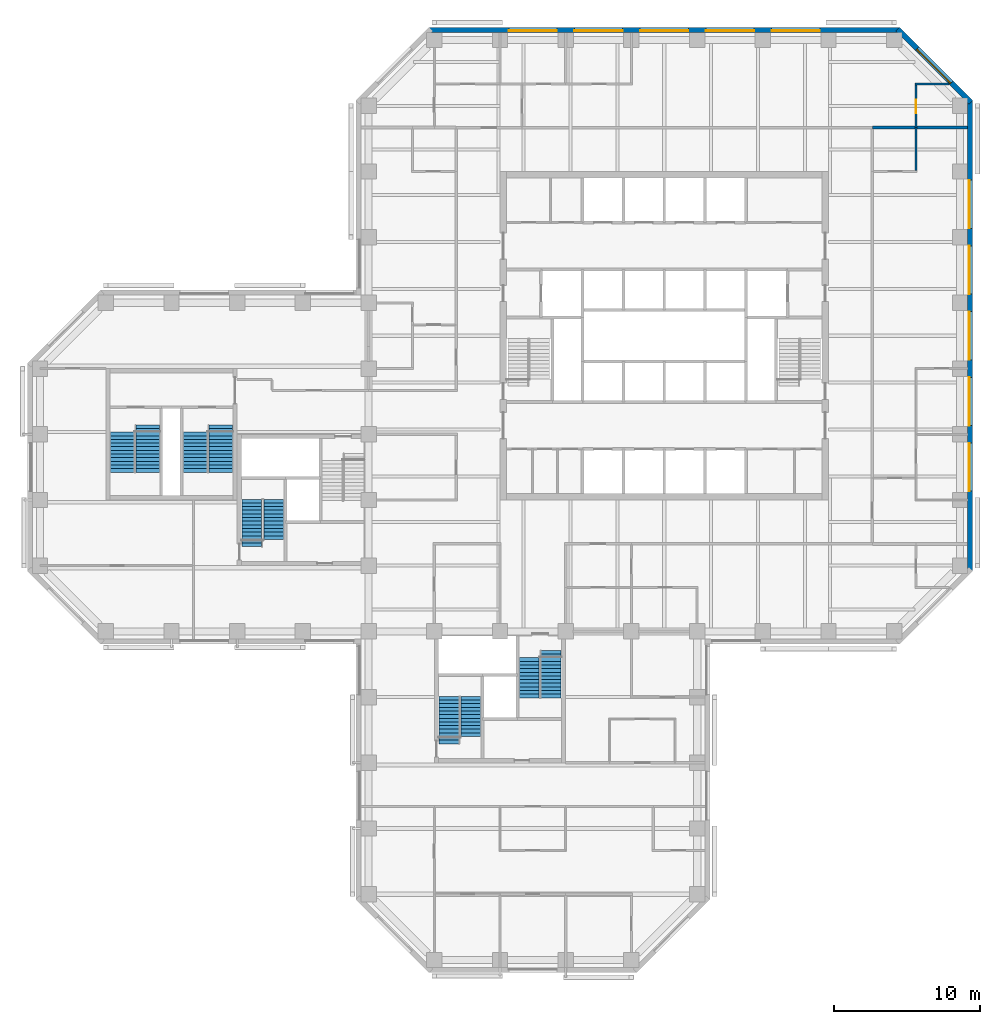
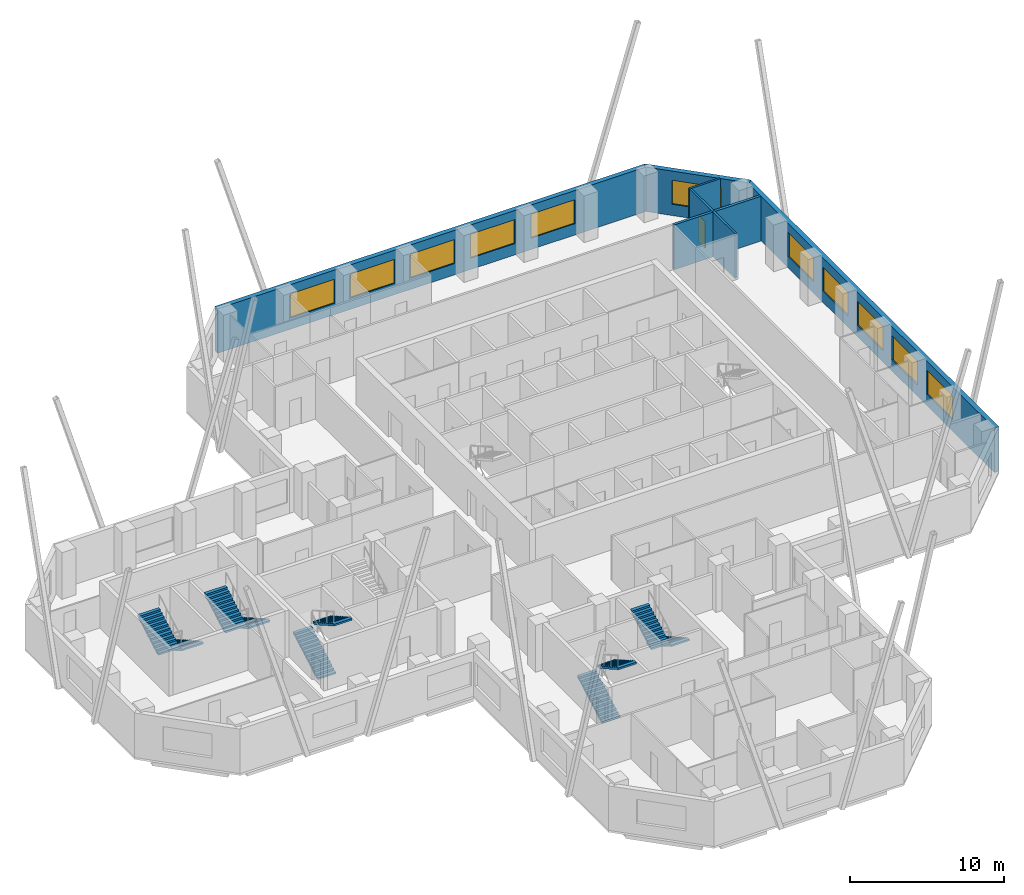
# One storey, part 9 of 11: 11 windows, 10 stair flights, 8 walls, 1 door, 12 openings, 5 elements without a shape of their own.
"""IFC4 building model written with IfcOpenShell, lengths in metres."""

from ifc_helpers import new_model, si_unit, direction, frame, frame_2d, origin, place, context, subcontext, project, spatial, polyline, rectangle, outline, extrude, material, layer, layer_set, constituent, constituent_set, type_object, element, fill, aggregate, save


model = new_model("IFC4")

# Units and contexts
model_context = context("Model", 3, precision=1e-05, world=origin(), true_north=direction((0.0, 1.0)))
body_context = subcontext(model_context, "Body", "Model", "MODEL_VIEW")
ifc_project = project(units=[si_unit("LENGTHUNIT", "METRE"), si_unit("AREAUNIT", "SQUARE_METRE"), si_unit("VOLUMEUNIT", "CUBIC_METRE"), si_unit("PLANEANGLEUNIT", "RADIAN"), si_unit("MASSUNIT", "GRAM", prefix="KILO")], contexts=[model_context])

# Site, building, storey
site_placement = place(None, origin())
site = spatial("IfcSite", under=ifc_project, at=site_placement, CompositionType="ELEMENT")
building_placement = place(site_placement, origin())
building = spatial("IfcBuilding", under=site, at=building_placement, Name="Quoin Convention Tower", CompositionType="ELEMENT")
storey_placement = place(building_placement, frame((0.0, 0.0, 82.60009765625)))
storey = spatial("IfcBuildingStorey", under=building, at=storey_placement, Name="L21", CompositionType="ELEMENT", Elevation=82.60009765625)

# Wall, openings, windows
ifc_material_1 = material(Name="Brick masonry", Category="masonry")
ifc_layer_1 = layer(ifc_material_1, 0.35009765625)
ifc_layer_set_1 = layer_set([ifc_layer_1], Name="Brick masonry")
wall_type_1 = type_object("IfcWallType", Name="Brick facade wall", PredefinedType="STANDARD", material=ifc_layer_set_1)
wall_1_placement = place(storey_placement, frame((77.199951171875, 44.6376953125, 0.0), z_axis=(0.0, 0.0, 1.0), x_axis=(0.0, 1.0, 0.0)))
wall_1 = element("IfcWall", 1, at=wall_1_placement, inside=storey, type_object=wall_type_1, Name="fw-L21-76500_45000", PredefinedType="STANDARD", context=body_context, shape_type="SweptSolid", body=[
    extrude(rectangle(XDim=32.224609375, YDim=0.35009765625, at=frame_2d((16.1123046875, 0.0))), origin(), (0.0, 0.0, 1.0), 3.52490234375),
])
opening_1_placement = place(wall_1_placement, frame((5.46240234375, 0.0, 0.89990234375)))
opening_1 = element("IfcOpeningElement", 2, at=opening_1_placement, cuts=wall_1, Name="Opening W-02", PredefinedType="OPENING", context=body_context, shape_type="SweptSolid", body=[
    extrude(rectangle(XDim=3.300048828125, YDim=1.89990234375, at=frame_2d((1.64990234375, 0.949951171875))), frame((0.0, 0.18505859375, 0.0), z_axis=(0.0, -1.0, 0.0), x_axis=(1.0, 0.0, 0.0)), (0.0, 0.0, 1.0), 0.3701171875),
])
opening_2_placement = place(wall_1_placement, frame((9.96240234375, 0.0, 0.89990234375)))
opening_2 = element("IfcOpeningElement", 3, at=opening_2_placement, cuts=wall_1, Name="Opening W-02", PredefinedType="OPENING", context=body_context, shape_type="SweptSolid", body=[
    extrude(rectangle(XDim=3.300048828125, YDim=1.89990234375, at=frame_2d((1.64990234375, 0.949951171875))), frame((0.0, 0.18505859375, 0.0), z_axis=(0.0, -1.0, 0.0), x_axis=(1.0, 0.0, 0.0)), (0.0, 0.0, 1.0), 0.3701171875),
])
opening_3_placement = place(wall_1_placement, frame((14.46240234375, 0.0, 0.89990234375)))
opening_3 = element("IfcOpeningElement", 4, at=opening_3_placement, cuts=wall_1, Name="Opening W-02", PredefinedType="OPENING", context=body_context, shape_type="SweptSolid", body=[
    extrude(rectangle(XDim=3.300048828125, YDim=1.89990234375, at=frame_2d((1.64990234375, 0.949951171875))), frame((0.0, 0.18505859375, 0.0), z_axis=(0.0, -1.0, 0.0), x_axis=(1.0, 0.0, 0.0)), (0.0, 0.0, 1.0), 0.3701171875),
])
opening_4_placement = place(wall_1_placement, frame((18.96240234375, 0.0, 0.89990234375)))
opening_4 = element("IfcOpeningElement", 5, at=opening_4_placement, cuts=wall_1, Name="Opening W-02", PredefinedType="OPENING", context=body_context, shape_type="SweptSolid", body=[
    extrude(rectangle(XDim=3.300048828125, YDim=1.89990234375, at=frame_2d((1.64990234375, 0.949951171875))), frame((0.0, 0.18505859375, 0.0), z_axis=(0.0, -1.0, 0.0), x_axis=(1.0, 0.0, 0.0)), (0.0, 0.0, 1.0), 0.3701171875),
])
opening_5_placement = place(wall_1_placement, frame((23.46240234375, 0.0, 0.89990234375)))
opening_5 = element("IfcOpeningElement", 6, at=opening_5_placement, cuts=wall_1, Name="Opening W-02", PredefinedType="OPENING", context=body_context, shape_type="SweptSolid", body=[
    extrude(rectangle(XDim=3.300048828125, YDim=1.89990234375, at=frame_2d((1.64990234375, 0.949951171875))), frame((0.0, 0.18505859375, 0.0), z_axis=(0.0, -1.0, 0.0), x_axis=(1.0, 0.0, 0.0)), (0.0, 0.0, 1.0), 0.3701171875),
])
ifc_material_2 = material(Name="Aluminium", Category="aluminium")
ifc_constituent_1 = constituent(ifc_material_2, Name="Frame")
ifc_material_3 = material(Name="Insulated glass", Category="glass")
ifc_constituent_2 = constituent(ifc_material_3, Name="Glazing")
ifc_constituent_set = constituent_set(constituents=[ifc_constituent_1, ifc_constituent_2], Name="Aluminium")
window_type = type_object("IfcWindowType", Name="Office window", PartitioningType="DOUBLE_PANEL_VERTICAL", PredefinedType="WINDOW", material=ifc_constituent_set)
window_1_placement = place(opening_1_placement, origin())
window_1 = element("IfcWindow", 7, at=window_1_placement, inside=storey, type_object=window_type, Name="win-L21-77200_51750", OverallHeight=1.89990234375, OverallWidth=3.300048828125, PartitioningType="SINGLE_PANEL", PredefinedType="WINDOW", context=body_context, shape_type="SweptSolid", body=[
    extrude(rectangle(XDim=3.300048828125, YDim=1.89990234375, at=frame_2d((1.64990234375, 0.949951171875))), frame((0.0, 0.0849609375, 0.0), z_axis=(0.0, -1.0, 0.0), x_axis=(1.0, 0.0, 0.0)), (0.0, 0.0, 1.0), 0.06005859375),
])
fill(opening_1, window_1)
window_2_placement = place(opening_2_placement, origin())
window_2 = element("IfcWindow", 8, at=window_2_placement, inside=storey, type_object=window_type, Name="win-L21-77200_56250", OverallHeight=1.89990234375, OverallWidth=3.300048828125, PartitioningType="SINGLE_PANEL", PredefinedType="WINDOW", context=body_context, shape_type="SweptSolid", body=[
    extrude(rectangle(XDim=3.300048828125, YDim=1.89990234375, at=frame_2d((1.64990234375, 0.949951171875))), frame((0.0, 0.0849609375, 0.0), z_axis=(0.0, -1.0, 0.0), x_axis=(1.0, 0.0, 0.0)), (0.0, 0.0, 1.0), 0.06005859375),
])
fill(opening_2, window_2)
window_3_placement = place(opening_3_placement, origin())
window_3 = element("IfcWindow", 9, at=window_3_placement, inside=storey, type_object=window_type, Name="win-L21-77200_60750", OverallHeight=1.89990234375, OverallWidth=3.300048828125, PartitioningType="SINGLE_PANEL", PredefinedType="WINDOW", context=body_context, shape_type="SweptSolid", body=[
    extrude(rectangle(XDim=3.300048828125, YDim=1.89990234375, at=frame_2d((1.64990234375, 0.949951171875))), frame((0.0, 0.0849609375, 0.0), z_axis=(0.0, -1.0, 0.0), x_axis=(1.0, 0.0, 0.0)), (0.0, 0.0, 1.0), 0.06005859375),
])
fill(opening_3, window_3)
window_4_placement = place(opening_4_placement, origin())
window_4 = element("IfcWindow", 10, at=window_4_placement, inside=storey, type_object=window_type, Name="win-L21-77200_65250", OverallHeight=1.89990234375, OverallWidth=3.300048828125, PartitioningType="SINGLE_PANEL", PredefinedType="WINDOW", context=body_context, shape_type="SweptSolid", body=[
    extrude(rectangle(XDim=3.300048828125, YDim=1.89990234375, at=frame_2d((1.64990234375, 0.949951171875))), frame((0.0, 0.0849609375, 0.0), z_axis=(0.0, -1.0, 0.0), x_axis=(1.0, 0.0, 0.0)), (0.0, 0.0, 1.0), 0.06005859375),
])
fill(opening_4, window_4)
window_5_placement = place(opening_5_placement, origin())
window_5 = element("IfcWindow", 11, at=window_5_placement, inside=storey, type_object=window_type, Name="win-L21-77200_69750", OverallHeight=1.89990234375, OverallWidth=3.300048828125, PartitioningType="SINGLE_PANEL", PredefinedType="WINDOW", context=body_context, shape_type="SweptSolid", body=[
    extrude(rectangle(XDim=3.300048828125, YDim=1.89990234375, at=frame_2d((1.64990234375, 0.949951171875))), frame((0.0, 0.0849609375, 0.0), z_axis=(0.0, -1.0, 0.0), x_axis=(1.0, 0.0, 0.0)), (0.0, 0.0, 1.0), 0.06005859375),
])
fill(opening_5, window_5)

# Wall, opening, window
wall_2_placement = place(storey_placement, frame((77.251220703125, 76.73876953125, 0.0), z_axis=(0.0, 0.0, 1.0), x_axis=(-0.707106781187, 0.707106781187, 0.0)))
wall_2 = element("IfcWall", 12, at=wall_2_placement, inside=storey, type_object=wall_type_1, Name="fw-L21-76500_76500", PredefinedType="STANDARD", context=body_context, shape_type="SweptSolid", body=[
    extrude(rectangle(XDim=7.088623046875, YDim=0.35009765625, at=frame_2d((3.54443359375, 0.0))), origin(), (0.0, 0.0, 1.0), 3.52490234375),
])
opening_6_placement = place(wall_2_placement, frame((1.894287109375, 0.0, 0.89990234375)))
opening_6 = element("IfcOpeningElement", 13, at=opening_6_placement, cuts=wall_2, Name="Opening W-02", PredefinedType="OPENING", context=body_context, shape_type="SweptSolid", body=[
    extrude(rectangle(XDim=3.300048828125, YDim=1.89990234375, at=frame_2d((1.64990234375, 0.949951171875))), frame((0.0, 0.18505859375, 0.0), z_axis=(0.0, -1.0, 0.0), x_axis=(1.0, 0.0, 0.0)), (0.0, 0.0, 1.0), 0.3701171875),
])
window_6_placement = place(opening_6_placement, origin())
window_6 = element("IfcWindow", 14, at=window_6_placement, inside=storey, type_object=window_type, Name="win-L21-74745_79245", OverallHeight=1.89990234375, OverallWidth=3.300048828125, PartitioningType="SINGLE_PANEL", PredefinedType="WINDOW", context=body_context, shape_type="SweptSolid", body=[
    extrude(rectangle(XDim=3.300048828125, YDim=1.89990234375, at=frame_2d((1.64990234375, 0.949951171875))), frame((0.0, 0.0849609375, 0.0), z_axis=(0.0, -1.0, 0.0), x_axis=(1.0, 0.0, 0.0)), (0.0, 0.0, 1.0), 0.06005859375),
])
fill(opening_6, window_6)

# Wall, openings, windows
wall_3_placement = place(storey_placement, frame((72.3623046875, 81.699951171875, 0.0), z_axis=(0.0, 0.0, 1.0), x_axis=(-1.0, 0.0, 0.0)))
wall_3 = element("IfcWall", 15, at=wall_3_placement, inside=storey, type_object=wall_type_1, Name="fw-L21-72000_81000", PredefinedType="STANDARD", context=body_context, shape_type="SweptSolid", body=[
    extrude(rectangle(XDim=32.224609375, YDim=0.35009765625, at=frame_2d((16.1123046875, 0.0))), origin(), (0.0, 0.0, 1.0), 3.52490234375),
])
opening_7_placement = place(wall_3_placement, frame((5.46240234375, 0.0, 0.89990234375)))
opening_7 = element("IfcOpeningElement", 16, at=opening_7_placement, cuts=wall_3, Name="Opening W-02", PredefinedType="OPENING", context=body_context, shape_type="SweptSolid", body=[
    extrude(rectangle(XDim=3.300048828125, YDim=1.89990234375, at=frame_2d((1.64990234375, 0.949951171875))), frame((0.0, 0.18505859375, 0.0), z_axis=(0.0, -1.0, 0.0), x_axis=(1.0, 0.0, 0.0)), (0.0, 0.0, 1.0), 0.3701171875),
])
opening_8_placement = place(wall_3_placement, frame((9.96240234375, 0.0, 0.89990234375)))
opening_8 = element("IfcOpeningElement", 17, at=opening_8_placement, cuts=wall_3, Name="Opening W-02", PredefinedType="OPENING", context=body_context, shape_type="SweptSolid", body=[
    extrude(rectangle(XDim=3.300048828125, YDim=1.89990234375, at=frame_2d((1.64990234375, 0.949951171875))), frame((0.0, 0.18505859375, 0.0), z_axis=(0.0, -1.0, 0.0), x_axis=(1.0, 0.0, 0.0)), (0.0, 0.0, 1.0), 0.3701171875),
])
opening_9_placement = place(wall_3_placement, frame((14.46240234375, 0.0, 0.89990234375)))
opening_9 = element("IfcOpeningElement", 18, at=opening_9_placement, cuts=wall_3, Name="Opening W-02", PredefinedType="OPENING", context=body_context, shape_type="SweptSolid", body=[
    extrude(rectangle(XDim=3.300048828125, YDim=1.89990234375, at=frame_2d((1.64990234375, 0.949951171875))), frame((0.0, 0.18505859375, 0.0), z_axis=(0.0, -1.0, 0.0), x_axis=(1.0, 0.0, 0.0)), (0.0, 0.0, 1.0), 0.3701171875),
])
opening_10_placement = place(wall_3_placement, frame((18.96240234375, 0.0, 0.89990234375)))
opening_10 = element("IfcOpeningElement", 19, at=opening_10_placement, cuts=wall_3, Name="Opening W-02", PredefinedType="OPENING", context=body_context, shape_type="SweptSolid", body=[
    extrude(rectangle(XDim=3.300048828125, YDim=1.89990234375, at=frame_2d((1.64990234375, 0.949951171875))), frame((0.0, 0.18505859375, 0.0), z_axis=(0.0, -1.0, 0.0), x_axis=(1.0, 0.0, 0.0)), (0.0, 0.0, 1.0), 0.3701171875),
])
opening_11_placement = place(wall_3_placement, frame((23.46240234375, 0.0, 0.89990234375)))
opening_11 = element("IfcOpeningElement", 20, at=opening_11_placement, cuts=wall_3, Name="Opening W-02", PredefinedType="OPENING", context=body_context, shape_type="SweptSolid", body=[
    extrude(rectangle(XDim=3.300048828125, YDim=1.89990234375, at=frame_2d((1.64990234375, 0.949951171875))), frame((0.0, 0.18505859375, 0.0), z_axis=(0.0, -1.0, 0.0), x_axis=(1.0, 0.0, 0.0)), (0.0, 0.0, 1.0), 0.3701171875),
])
window_7_placement = place(opening_7_placement, origin())
window_7 = element("IfcWindow", 21, at=window_7_placement, inside=storey, type_object=window_type, Name="win-L21-65250_81700", OverallHeight=1.89990234375, OverallWidth=3.300048828125, PartitioningType="SINGLE_PANEL", PredefinedType="WINDOW", context=body_context, shape_type="SweptSolid", body=[
    extrude(rectangle(XDim=3.300048828125, YDim=1.89990234375, at=frame_2d((1.64990234375, 0.949951171875))), frame((0.0, 0.0849609375, 0.0), z_axis=(0.0, -1.0, 0.0), x_axis=(1.0, 0.0, 0.0)), (0.0, 0.0, 1.0), 0.06005859375),
])
fill(opening_7, window_7)
window_8_placement = place(opening_8_placement, origin())
window_8 = element("IfcWindow", 22, at=window_8_placement, inside=storey, type_object=window_type, Name="win-L21-60750_81700", OverallHeight=1.89990234375, OverallWidth=3.300048828125, PartitioningType="SINGLE_PANEL", PredefinedType="WINDOW", context=body_context, shape_type="SweptSolid", body=[
    extrude(rectangle(XDim=3.300048828125, YDim=1.89990234375, at=frame_2d((1.64990234375, 0.949951171875))), frame((0.0, 0.0849609375, 0.0), z_axis=(0.0, -1.0, 0.0), x_axis=(1.0, 0.0, 0.0)), (0.0, 0.0, 1.0), 0.06005859375),
])
fill(opening_8, window_8)
window_9_placement = place(opening_9_placement, origin())
window_9 = element("IfcWindow", 23, at=window_9_placement, inside=storey, type_object=window_type, Name="win-L21-56250_81700", OverallHeight=1.89990234375, OverallWidth=3.300048828125, PartitioningType="SINGLE_PANEL", PredefinedType="WINDOW", context=body_context, shape_type="SweptSolid", body=[
    extrude(rectangle(XDim=3.300048828125, YDim=1.89990234375, at=frame_2d((1.64990234375, 0.949951171875))), frame((0.0, 0.0849609375, 0.0), z_axis=(0.0, -1.0, 0.0), x_axis=(1.0, 0.0, 0.0)), (0.0, 0.0, 1.0), 0.06005859375),
])
fill(opening_9, window_9)
window_10_placement = place(opening_10_placement, origin())
window_10 = element("IfcWindow", 24, at=window_10_placement, inside=storey, type_object=window_type, Name="win-L21-51750_81700", OverallHeight=1.89990234375, OverallWidth=3.300048828125, PartitioningType="SINGLE_PANEL", PredefinedType="WINDOW", context=body_context, shape_type="SweptSolid", body=[
    extrude(rectangle(XDim=3.300048828125, YDim=1.89990234375, at=frame_2d((1.64990234375, 0.949951171875))), frame((0.0, 0.0849609375, 0.0), z_axis=(0.0, -1.0, 0.0), x_axis=(1.0, 0.0, 0.0)), (0.0, 0.0, 1.0), 0.06005859375),
])
fill(opening_10, window_10)
window_11_placement = place(opening_11_placement, origin())
window_11 = element("IfcWindow", 25, at=window_11_placement, inside=storey, type_object=window_type, Name="win-L21-47250_81700", OverallHeight=1.89990234375, OverallWidth=3.300048828125, PartitioningType="SINGLE_PANEL", PredefinedType="WINDOW", context=body_context, shape_type="SweptSolid", body=[
    extrude(rectangle(XDim=3.300048828125, YDim=1.89990234375, at=frame_2d((1.64990234375, 0.949951171875))), frame((0.0, 0.0849609375, 0.0), z_axis=(0.0, -1.0, 0.0), x_axis=(1.0, 0.0, 0.0)), (0.0, 0.0, 1.0), 0.06005859375),
])
fill(opening_11, window_11)

# Walls
ifc_material_4 = material(Name="Plasterboard")
ifc_layer_2 = layer(ifc_material_4, 0.012451171875, Name="Finish")
ifc_material_5 = material(Name="Steel stud framing", Category="steel")
ifc_layer_3 = layer(ifc_material_5, 0.175048828125, Name="Structure")
ifc_layer_4 = layer(ifc_material_4, 0.012451171875, Name="Finish")
ifc_layer_set_2 = layer_set([ifc_layer_2, ifc_layer_3, ifc_layer_4], Name="Steel stud framing")
wall_type_2 = type_object("IfcWallType", Name="Tenancy demising wall 200", PredefinedType="PARTITIONING", material=ifc_layer_set_2)
wall_4_placement = place(storey_placement, frame((70.5, 75.0, 0.0), z_axis=(0.0, 0.0, 1.0), x_axis=(1.0, 0.0, 0.0)))
element("IfcWall", 26, at=wall_4_placement, inside=storey, type_object=wall_type_2, Name="pw-L21-056", PredefinedType="PARTITIONING", context=body_context, shape_type="SweptSolid", body=[
    extrude(rectangle(XDim=2.925048828125, YDim=0.199951171875, at=frame_2d((1.46240234375, 0.0))), origin(), (0.0, 0.0, 1.0), 3.5498046875),
])
wall_5_placement = place(storey_placement, frame((73.574951171875, 75.0, 0.0), z_axis=(0.0, 0.0, 1.0), x_axis=(1.0, 0.0, 0.0)))
element("IfcWall", 27, at=wall_5_placement, inside=storey, type_object=wall_type_2, Name="pw-L21-057", PredefinedType="PARTITIONING", context=body_context, shape_type="SweptSolid", body=[
    extrude(rectangle(XDim=3.449951171875, YDim=0.199951171875, at=frame_2d((1.72509765625, 0.0))), origin(), (0.0, 0.0, 1.0), 3.5498046875),
])
ifc_layer_5 = layer(ifc_material_4, 0.012451171875, Name="Finish")
ifc_layer_6 = layer(ifc_material_5, 0.125, Name="Structure")
ifc_layer_7 = layer(ifc_material_4, 0.012451171875, Name="Finish")
ifc_layer_set_3 = layer_set([ifc_layer_5, ifc_layer_6, ifc_layer_7], Name="Steel stud framing")
wall_type_3 = type_object("IfcWallType", Name="Wet area partition 150", PredefinedType="PARTITIONING", material=ifc_layer_set_3)
wall_6_placement = place(storey_placement, frame((73.425048828125, 78.0, 0.0), z_axis=(0.0, 0.0, 1.0), x_axis=(1.0, 0.0, 0.0)))
element("IfcWall", 28, at=wall_6_placement, inside=storey, type_object=wall_type_3, Name="pw-L21-062", PredefinedType="PARTITIONING", context=body_context, shape_type="SweptSolid", body=[
    extrude(rectangle(XDim=2.3173828125, YDim=0.14990234375, at=frame_2d((1.15869140625, 0.0))), origin(), (0.0, 0.0, 1.0), 3.5498046875),
])
wall_7_placement = place(storey_placement, frame((73.5, 72.074951171875, 0.0), z_axis=(0.0, 0.0, 1.0), x_axis=(0.0, 1.0, 0.0)))
element("IfcWall", 29, at=wall_7_placement, inside=storey, type_object=wall_type_3, Name="pw-L21-112", PredefinedType="PARTITIONING", context=body_context, shape_type="SweptSolid", body=[
    extrude(rectangle(XDim=2.925048828125, YDim=0.14990234375, at=frame_2d((1.46240234375, 0.0))), origin(), (0.0, 0.0, 1.0), 3.5498046875),
])

# Wall, opening, door
wall_8_placement = place(storey_placement, frame((73.5, 75.0, 0.0), z_axis=(0.0, 0.0, 1.0), x_axis=(0.0, 1.0, 0.0)))
wall_8 = element("IfcWall", 30, at=wall_8_placement, inside=storey, type_object=wall_type_3, Name="pw-L21-113", PredefinedType="PARTITIONING", context=body_context, shape_type="SweptSolid", body=[
    extrude(rectangle(XDim=2.925048828125, YDim=0.14990234375, at=frame_2d((1.46240234375, 0.0))), origin(), (0.0, 0.0, 1.0), 3.5498046875),
])
opening_12_placement = place(wall_8_placement, frame((1.0, 0.0, 0.0)))
opening_12 = element("IfcOpeningElement", 31, at=opening_12_placement, cuts=wall_8, Name="Opening DOL1-32", PredefinedType="OPENING", context=body_context, shape_type="SweptSolid", body=[
    extrude(rectangle(XDim=0.89990234375, YDim=2.10009765625, at=frame_2d((0.449951171875, 1.050048828125))), frame((0.0, 0.0849609375, 0.0), z_axis=(0.0, -1.0, 0.0), x_axis=(1.0, 0.0, 0.0)), (0.0, 0.0, 1.0), 0.169921875),
])
ifc_material_6 = material(Name="Steel door leaf", Category="steel")
door_type = type_object("IfcDoorType", Name="Office door 900 x 2100", OperationType="SINGLE_SWING_RIGHT", PredefinedType="DOOR", material=ifc_material_6)
door_placement = place(opening_12_placement, origin())
door = element("IfcDoor", 32, at=door_placement, inside=storey, type_object=door_type, Name="dr-L21-37", OperationType="SINGLE_SWING_LEFT", OverallHeight=2.10009765625, OverallWidth=0.89990234375, PredefinedType="DOOR", context=body_context, shape_type="SweptSolid", body=[
    extrude(rectangle(XDim=0.89990234375, YDim=2.10009765625, at=frame_2d((0.449951171875, 1.050048828125))), frame((0.0, 0.02490234375, 0.0), z_axis=(0.0, -1.0, 0.0), x_axis=(1.0, 0.0, 0.0)), (0.0, 0.0, 1.0), 0.050048828125),
])
fill(opening_12, door)

# Stair, stair flights
ifc_material_7 = material(Name="Concrete C40", Category="concrete")
stair_type_1 = type_object("IfcStairType", Name="Exit stair two-flight 1350", PredefinedType="HALF_TURN_STAIR", material=ifc_material_7)
stair_1_placement = place(storey_placement, origin())
stair_1 = element("IfcStair", 33, at=stair_1_placement, inside=storey, type_object=stair_type_1, Name="SD3 L21", PredefinedType="HALF_TURN_STAIR")
stair_flight_type_1 = type_object("IfcStairFlightType", Name="Stair flight 1350", PredefinedType="STRAIGHT", material=ifc_material_7)
stair_flight_1_placement = place(storey_placement, frame((28.0, 46.300048828125, 0.0), z_axis=(0.0, 0.0, 1.0), x_axis=(0.0, 1.0, 0.0)))
stair_flight_1 = element("IfcStairFlight", 34, at=stair_flight_1_placement, type_object=stair_flight_type_1, Name="ST3 flight 1", NumberOfRisers=14, NumberOfTreads=13, PredefinedType="STRAIGHT", RiserHeight=0.142307692, TreadLength=0.25, context=body_context, shape_type="SweptSolid", body=[
    extrude(outline(polyline([(0.0, 0.0), (0.0, 0.142333984375), (0.25, 0.142333984375), (0.25, 0.28466796875), (0.5, 0.28466796875), (0.5, 0.427001953125), (0.75, 0.427001953125), (0.75, 0.5693359375), (1.0, 0.5693359375), (1.0, 0.71142578125), (1.25, 0.71142578125), (1.25, 0.853759765625), (1.5, 0.853759765625), (1.5, 0.99609375), (1.75, 0.99609375), (1.75, 1.138427734375), (2.0, 1.138427734375), (2.0, 1.28076171875), (2.25, 1.28076171875), (2.25, 1.423095703125), (2.5, 1.423095703125), (2.5, 1.5654296875), (2.75, 1.5654296875), (2.75, 1.707763671875), (3.0, 1.707763671875), (3.0, 1.85009765625), (3.25, 1.85009765625), (3.25, 1.9921875), (3.25, 1.711669921875), (0.242919921875, 0.0), (0.0, 0.0)])), frame((0.0, 0.675048828125, 0.0), z_axis=(0.0, -1.0, 0.0), x_axis=(1.0, 0.0, 0.0)), (0.0, 0.0, 1.0), 1.35009765625),
])
stair_flight_2_placement = place(storey_placement, frame((29.5, 49.550048828125, 1.9921875), z_axis=(0.0, 0.0, 1.0), x_axis=(0.0, -1.0, 0.0)))
stair_flight_2 = element("IfcStairFlight", 35, at=stair_flight_2_placement, type_object=stair_flight_type_1, Name="ST3 flight 2", NumberOfRisers=12, NumberOfTreads=11, PredefinedType="STRAIGHT", RiserHeight=0.142307692, TreadLength=0.25, context=body_context, shape_type="SweptSolid", body=[
    extrude(outline(polyline([(0.0, 0.0), (0.0, 0.142333984375), (0.25, 0.142333984375), (0.25, 0.28466796875), (0.5, 0.28466796875), (0.5, 0.427001953125), (0.75, 0.427001953125), (0.75, 0.5693359375), (1.0, 0.5693359375), (1.0, 0.71142578125), (1.25, 0.71142578125), (1.25, 0.853759765625), (1.5, 0.853759765625), (1.5, 0.99609375), (1.75, 0.99609375), (1.75, 1.138427734375), (2.0, 1.138427734375), (2.0, 1.28076171875), (2.25, 1.28076171875), (2.25, 1.423095703125), (2.5, 1.423095703125), (2.5, 1.5654296875), (2.75, 1.5654296875), (2.75, 1.707763671875), (2.75, 1.42724609375), (0.242919921875, 0.0), (0.0, 0.0)])), frame((0.0, 0.675048828125, 0.0), z_axis=(0.0, -1.0, 0.0), x_axis=(1.0, 0.0, 0.0)), (0.0, 0.0, 1.0), 1.35009765625),
])
aggregate(stair_1, [stair_flight_1, stair_flight_2])

stair_2_placement = place(storey_placement, origin())
stair_2 = element("IfcStair", 36, at=stair_2_placement, inside=storey, type_object=stair_type_1, Name="SD5 L21", PredefinedType="HALF_TURN_STAIR")
stair_flight_3_placement = place(storey_placement, frame((41.5, 32.800048828125, 0.0), z_axis=(0.0, 0.0, 1.0), x_axis=(0.0, 1.0, 0.0)))
stair_flight_3 = element("IfcStairFlight", 37, at=stair_flight_3_placement, type_object=stair_flight_type_1, Name="ST5 flight 1", NumberOfRisers=14, NumberOfTreads=13, PredefinedType="STRAIGHT", RiserHeight=0.142307692, TreadLength=0.25, context=body_context, shape_type="SweptSolid", body=[
    extrude(outline(polyline([(0.0, 0.0), (0.0, 0.142333984375), (0.25, 0.142333984375), (0.25, 0.28466796875), (0.5, 0.28466796875), (0.5, 0.427001953125), (0.75, 0.427001953125), (0.75, 0.5693359375), (1.0, 0.5693359375), (1.0, 0.71142578125), (1.25, 0.71142578125), (1.25, 0.853759765625), (1.5, 0.853759765625), (1.5, 0.99609375), (1.75, 0.99609375), (1.75, 1.138427734375), (2.0, 1.138427734375), (2.0, 1.28076171875), (2.25, 1.28076171875), (2.25, 1.423095703125), (2.5, 1.423095703125), (2.5, 1.5654296875), (2.75, 1.5654296875), (2.75, 1.707763671875), (3.0, 1.707763671875), (3.0, 1.85009765625), (3.25, 1.85009765625), (3.25, 1.9921875), (3.25, 1.711669921875), (0.242919921875, 0.0), (0.0, 0.0)])), frame((0.0, 0.675048828125, 0.0), z_axis=(0.0, -1.0, 0.0), x_axis=(1.0, 0.0, 0.0)), (0.0, 0.0, 1.0), 1.35009765625),
])
stair_flight_4_placement = place(storey_placement, frame((43.0, 36.050048828125, 1.9921875), z_axis=(0.0, 0.0, 1.0), x_axis=(0.0, -1.0, 0.0)))
stair_flight_4 = element("IfcStairFlight", 38, at=stair_flight_4_placement, type_object=stair_flight_type_1, Name="ST5 flight 2", NumberOfRisers=12, NumberOfTreads=11, PredefinedType="STRAIGHT", RiserHeight=0.142307692, TreadLength=0.25, context=body_context, shape_type="SweptSolid", body=[
    extrude(outline(polyline([(0.0, 0.0), (0.0, 0.142333984375), (0.25, 0.142333984375), (0.25, 0.28466796875), (0.5, 0.28466796875), (0.5, 0.427001953125), (0.75, 0.427001953125), (0.75, 0.5693359375), (1.0, 0.5693359375), (1.0, 0.71142578125), (1.25, 0.71142578125), (1.25, 0.853759765625), (1.5, 0.853759765625), (1.5, 0.99609375), (1.75, 0.99609375), (1.75, 1.138427734375), (2.0, 1.138427734375), (2.0, 1.28076171875), (2.25, 1.28076171875), (2.25, 1.423095703125), (2.5, 1.423095703125), (2.5, 1.5654296875), (2.75, 1.5654296875), (2.75, 1.707763671875), (2.75, 1.42724609375), (0.242919921875, 0.0), (0.0, 0.0)])), frame((0.0, 0.675048828125, 0.0), z_axis=(0.0, -1.0, 0.0), x_axis=(1.0, 0.0, 0.0)), (0.0, 0.0, 1.0), 1.35009765625),
])
aggregate(stair_2, [stair_flight_3, stair_flight_4])

stair_3_placement = place(storey_placement, origin())
stair_3 = element("IfcStair", 39, at=stair_3_placement, inside=storey, type_object=stair_type_1, Name="SD6 L21", PredefinedType="HALF_TURN_STAIR")
stair_flight_5_placement = place(storey_placement, frame((48.5, 39.199951171875, 0.0), z_axis=(0.0, 0.0, 1.0), x_axis=(0.0, -1.0, 0.0)))
stair_flight_5 = element("IfcStairFlight", 40, at=stair_flight_5_placement, type_object=stair_flight_type_1, Name="ST6 flight 1", NumberOfRisers=14, NumberOfTreads=13, PredefinedType="STRAIGHT", RiserHeight=0.142307692, TreadLength=0.25, context=body_context, shape_type="SweptSolid", body=[
    extrude(outline(polyline([(0.0, 0.0), (0.0, 0.142333984375), (0.25, 0.142333984375), (0.25, 0.28466796875), (0.5, 0.28466796875), (0.5, 0.427001953125), (0.75, 0.427001953125), (0.75, 0.5693359375), (1.0, 0.5693359375), (1.0, 0.71142578125), (1.25, 0.71142578125), (1.25, 0.853759765625), (1.5, 0.853759765625), (1.5, 0.99609375), (1.75, 0.99609375), (1.75, 1.138427734375), (2.0, 1.138427734375), (2.0, 1.28076171875), (2.25, 1.28076171875), (2.25, 1.423095703125), (2.5, 1.423095703125), (2.5, 1.5654296875), (2.75, 1.5654296875), (2.75, 1.707763671875), (3.0, 1.707763671875), (3.0, 1.85009765625), (3.25, 1.85009765625), (3.25, 1.9921875), (3.25, 1.711669921875), (0.242919921875, 0.0), (0.0, 0.0)])), frame((0.0, 0.675048828125, 0.0), z_axis=(0.0, -1.0, 0.0), x_axis=(1.0, 0.0, 0.0)), (0.0, 0.0, 1.0), 1.35009765625),
])
stair_flight_6_placement = place(storey_placement, frame((47.0, 35.949951171875, 1.9921875), z_axis=(0.0, 0.0, 1.0), x_axis=(0.0, 1.0, 0.0)))
stair_flight_6 = element("IfcStairFlight", 41, at=stair_flight_6_placement, type_object=stair_flight_type_1, Name="ST6 flight 2", NumberOfRisers=12, NumberOfTreads=11, PredefinedType="STRAIGHT", RiserHeight=0.142307692, TreadLength=0.25, context=body_context, shape_type="SweptSolid", body=[
    extrude(outline(polyline([(0.0, 0.0), (0.0, 0.142333984375), (0.25, 0.142333984375), (0.25, 0.28466796875), (0.5, 0.28466796875), (0.5, 0.427001953125), (0.75, 0.427001953125), (0.75, 0.5693359375), (1.0, 0.5693359375), (1.0, 0.71142578125), (1.25, 0.71142578125), (1.25, 0.853759765625), (1.5, 0.853759765625), (1.5, 0.99609375), (1.75, 0.99609375), (1.75, 1.138427734375), (2.0, 1.138427734375), (2.0, 1.28076171875), (2.25, 1.28076171875), (2.25, 1.423095703125), (2.5, 1.423095703125), (2.5, 1.5654296875), (2.75, 1.5654296875), (2.75, 1.707763671875), (2.75, 1.42724609375), (0.242919921875, 0.0), (0.0, 0.0)])), frame((0.0, 0.675048828125, 0.0), z_axis=(0.0, -1.0, 0.0), x_axis=(1.0, 0.0, 0.0)), (0.0, 0.0, 1.0), 1.35009765625),
])
aggregate(stair_3, [stair_flight_5, stair_flight_6])

stair_type_2 = type_object("IfcStairType", Name="Exit stair two-flight 1600", PredefinedType="HALF_TURN_STAIR", material=ifc_material_7)
stair_4_placement = place(storey_placement, origin())
stair_4 = element("IfcStair", 42, at=stair_4_placement, inside=storey, type_object=stair_type_2, Name="SD11 L21", PredefinedType="HALF_TURN_STAIR")
stair_flight_type_2 = type_object("IfcStairFlightType", Name="Stair flight 1600", PredefinedType="STRAIGHT", material=ifc_material_7)
stair_flight_7_placement = place(storey_placement, frame((20.875, 54.64990234375, 0.0), z_axis=(0.0, 0.0, 1.0), x_axis=(0.0, -1.0, 0.0)))
stair_flight_7 = element("IfcStairFlight", 43, at=stair_flight_7_placement, type_object=stair_flight_type_2, Name="ST11 flight 1", NumberOfRisers=14, NumberOfTreads=13, PredefinedType="STRAIGHT", RiserHeight=0.142307692, TreadLength=0.25, context=body_context, shape_type="SweptSolid", body=[
    extrude(outline(polyline([(0.0, 0.0), (0.0, 0.142333984375), (0.25, 0.142333984375), (0.25, 0.28466796875), (0.5, 0.28466796875), (0.5, 0.427001953125), (0.75, 0.427001953125), (0.75, 0.5693359375), (1.0, 0.5693359375), (1.0, 0.71142578125), (1.25, 0.71142578125), (1.25, 0.853759765625), (1.5, 0.853759765625), (1.5, 0.99609375), (1.75, 0.99609375), (1.75, 1.138427734375), (2.0, 1.138427734375), (2.0, 1.28076171875), (2.25, 1.28076171875), (2.25, 1.423095703125), (2.5, 1.423095703125), (2.5, 1.5654296875), (2.75, 1.5654296875), (2.75, 1.707763671875), (3.0, 1.707763671875), (3.0, 1.85009765625), (3.25, 1.85009765625), (3.25, 1.9921875), (3.25, 1.711669921875), (0.242919921875, 0.0), (0.0, 0.0)])), frame((0.0, 0.800048828125, 0.0), z_axis=(0.0, -1.0, 0.0), x_axis=(1.0, 0.0, 0.0)), (0.0, 0.0, 1.0), 1.60009765625),
])
stair_flight_8_placement = place(storey_placement, frame((19.125, 51.39990234375, 1.9921875), z_axis=(0.0, 0.0, 1.0), x_axis=(0.0, 1.0, 0.0)))
stair_flight_8 = element("IfcStairFlight", 44, at=stair_flight_8_placement, type_object=stair_flight_type_2, Name="ST11 flight 2", NumberOfRisers=12, NumberOfTreads=11, PredefinedType="STRAIGHT", RiserHeight=0.142307692, TreadLength=0.25, context=body_context, shape_type="SweptSolid", body=[
    extrude(outline(polyline([(0.0, 0.0), (0.0, 0.142333984375), (0.25, 0.142333984375), (0.25, 0.28466796875), (0.5, 0.28466796875), (0.5, 0.427001953125), (0.75, 0.427001953125), (0.75, 0.5693359375), (1.0, 0.5693359375), (1.0, 0.71142578125), (1.25, 0.71142578125), (1.25, 0.853759765625), (1.5, 0.853759765625), (1.5, 0.99609375), (1.75, 0.99609375), (1.75, 1.138427734375), (2.0, 1.138427734375), (2.0, 1.28076171875), (2.25, 1.28076171875), (2.25, 1.423095703125), (2.5, 1.423095703125), (2.5, 1.5654296875), (2.75, 1.5654296875), (2.75, 1.707763671875), (2.75, 1.42724609375), (0.242919921875, 0.0), (0.0, 0.0)])), frame((0.0, 0.800048828125, 0.0), z_axis=(0.0, -1.0, 0.0), x_axis=(1.0, 0.0, 0.0)), (0.0, 0.0, 1.0), 1.60009765625),
])
aggregate(stair_4, [stair_flight_7, stair_flight_8])

stair_5_placement = place(storey_placement, origin())
stair_5 = element("IfcStair", 45, at=stair_5_placement, inside=storey, type_object=stair_type_2, Name="SD12 L21", PredefinedType="HALF_TURN_STAIR")
stair_flight_9_placement = place(storey_placement, frame((25.875, 54.64990234375, 0.0), z_axis=(0.0, 0.0, 1.0), x_axis=(0.0, -1.0, 0.0)))
stair_flight_9 = element("IfcStairFlight", 46, at=stair_flight_9_placement, type_object=stair_flight_type_2, Name="ST12 flight 1", NumberOfRisers=14, NumberOfTreads=13, PredefinedType="STRAIGHT", RiserHeight=0.142307692, TreadLength=0.25, context=body_context, shape_type="SweptSolid", body=[
    extrude(outline(polyline([(0.0, 0.0), (0.0, 0.142333984375), (0.25, 0.142333984375), (0.25, 0.28466796875), (0.5, 0.28466796875), (0.5, 0.427001953125), (0.75, 0.427001953125), (0.75, 0.5693359375), (1.0, 0.5693359375), (1.0, 0.71142578125), (1.25, 0.71142578125), (1.25, 0.853759765625), (1.5, 0.853759765625), (1.5, 0.99609375), (1.75, 0.99609375), (1.75, 1.138427734375), (2.0, 1.138427734375), (2.0, 1.28076171875), (2.25, 1.28076171875), (2.25, 1.423095703125), (2.5, 1.423095703125), (2.5, 1.5654296875), (2.75, 1.5654296875), (2.75, 1.707763671875), (3.0, 1.707763671875), (3.0, 1.85009765625), (3.25, 1.85009765625), (3.25, 1.9921875), (3.25, 1.711669921875), (0.242919921875, 0.0), (0.0, 0.0)])), frame((0.0, 0.800048828125, 0.0), z_axis=(0.0, -1.0, 0.0), x_axis=(1.0, 0.0, 0.0)), (0.0, 0.0, 1.0), 1.60009765625),
])
stair_flight_10_placement = place(storey_placement, frame((24.125, 51.39990234375, 1.9921875), z_axis=(0.0, 0.0, 1.0), x_axis=(0.0, 1.0, 0.0)))
stair_flight_10 = element("IfcStairFlight", 47, at=stair_flight_10_placement, type_object=stair_flight_type_2, Name="ST12 flight 2", NumberOfRisers=12, NumberOfTreads=11, PredefinedType="STRAIGHT", RiserHeight=0.142307692, TreadLength=0.25, context=body_context, shape_type="SweptSolid", body=[
    extrude(outline(polyline([(0.0, 0.0), (0.0, 0.142333984375), (0.25, 0.142333984375), (0.25, 0.28466796875), (0.5, 0.28466796875), (0.5, 0.427001953125), (0.75, 0.427001953125), (0.75, 0.5693359375), (1.0, 0.5693359375), (1.0, 0.71142578125), (1.25, 0.71142578125), (1.25, 0.853759765625), (1.5, 0.853759765625), (1.5, 0.99609375), (1.75, 0.99609375), (1.75, 1.138427734375), (2.0, 1.138427734375), (2.0, 1.28076171875), (2.25, 1.28076171875), (2.25, 1.423095703125), (2.5, 1.423095703125), (2.5, 1.5654296875), (2.75, 1.5654296875), (2.75, 1.707763671875), (2.75, 1.42724609375), (0.242919921875, 0.0), (0.0, 0.0)])), frame((0.0, 0.800048828125, 0.0), z_axis=(0.0, -1.0, 0.0), x_axis=(1.0, 0.0, 0.0)), (0.0, 0.0, 1.0), 1.60009765625),
])
aggregate(stair_5, [stair_flight_9, stair_flight_10])

save(model, "model.ifc")
